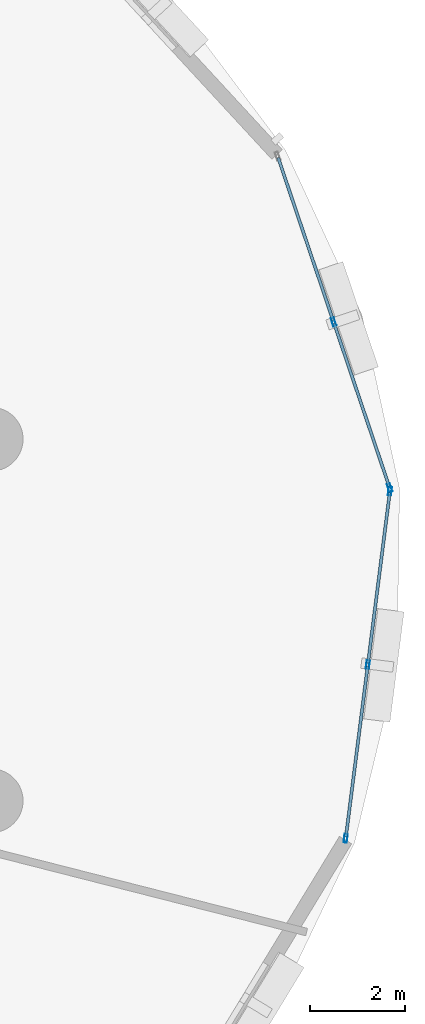
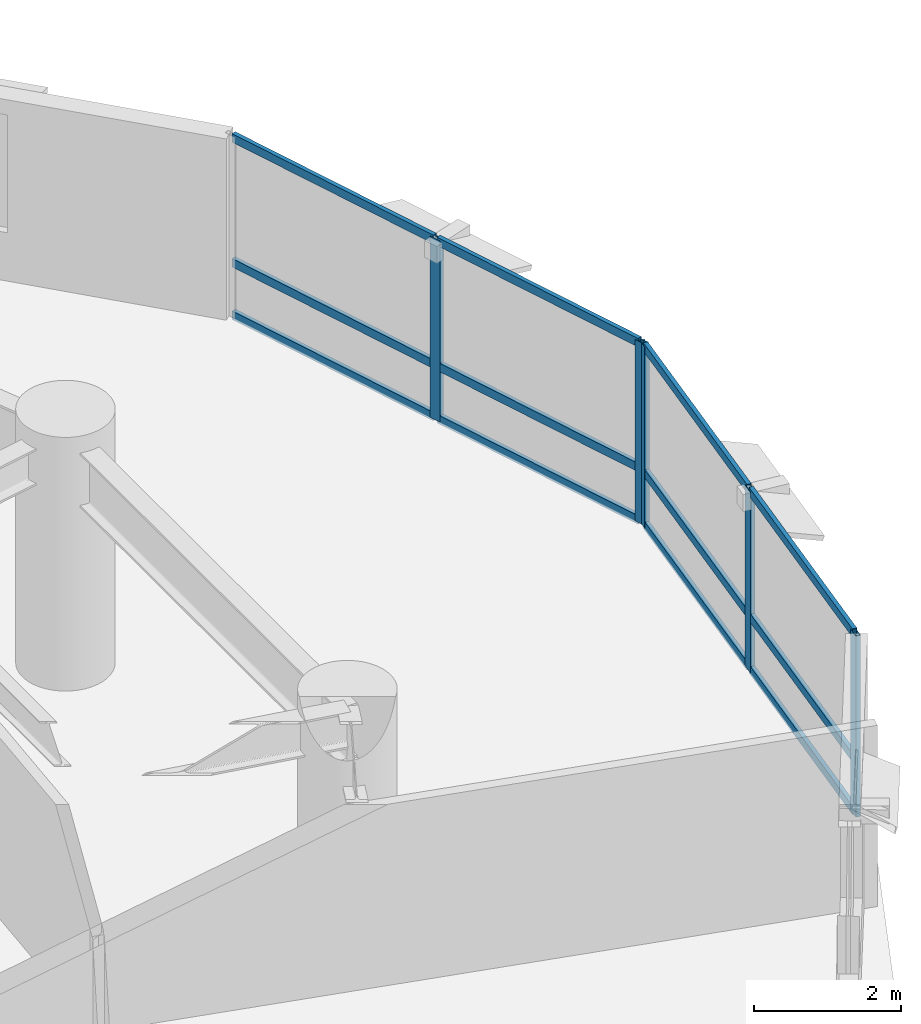
# One storey, part 8 of 17: 17 members, 2 elements without a shape of their own.
"""IFC4 building model written with IfcOpenShell, lengths in metres."""

from ifc_helpers import new_model, si_unit, direction, frame, origin, origin_2d, place, context, subcontext, project, spatial, hollow_rectangle, extrude, material, layer, layer_set, material_profile, profile_set, type_object, element, aggregate, save


model = new_model("IFC4")

# Units and contexts
model_context = context("Model", 3, precision=1e-05, world=origin(), true_north=direction((0.0, 1.0)))
body_context = subcontext(model_context, "Body", "Model", "MODEL_VIEW")
ifc_project = project(units=[si_unit("LENGTHUNIT", "METRE"), si_unit("AREAUNIT", "SQUARE_METRE"), si_unit("VOLUMEUNIT", "CUBIC_METRE"), si_unit("PLANEANGLEUNIT", "RADIAN"), si_unit("MASSUNIT", "GRAM", prefix="KILO"), si_unit("THERMODYNAMICTEMPERATUREUNIT", "KELVIN"), si_unit("POWERUNIT", "WATT")], contexts=[model_context])

# Site, building, storey
site_placement = place(None, origin())
site = spatial("IfcSite", under=ifc_project, at=site_placement, CompositionType="ELEMENT")
building_placement = place(site_placement, origin())
building = spatial("IfcBuilding", under=site, at=building_placement, Name="Ocrelia Relay Tower", CompositionType="ELEMENT")
storey_placement = place(building_placement, frame((0.0, 0.0, 55.199951171875)))
storey = spatial("IfcBuildingStorey", under=building, at=storey_placement, Name="L12", CompositionType="ELEMENT", Elevation=55.199951171875)

# Curtain wall, members
ifc_material_1 = material(Name="Aluminium and solar-control low-E glass", Category="aluminium")
ifc_layer = layer(ifc_material_1, 0.179931640625, Name="Aluminium and solar-control low-E glass")
ifc_layer_set = layer_set([ifc_layer], Name="Aluminium and solar-control low-E glass")
curtain_wall_type = type_object("IfcCurtainWallType", Name="CW-SYS-Z1-DATA", PredefinedType="NOTDEFINED", material=ifc_layer_set)
curtain_wall_1_placement = place(storey_placement, origin())
curtain_wall_1 = element("IfcCurtainWall", 1, at=curtain_wall_1_placement, inside=storey, type_object=curtain_wall_type, Name="L12 Elliptical Tower Curtain Wall Bay 01", PredefinedType="NOTDEFINED")
ifc_material_2 = material(Name="Anodised bronze aluminium", Category="aluminium")
ifc_material_profile_1 = material_profile(ifc_material_2, hollow_rectangle(XDim=0.070068359375, YDim=0.179931640625, WallThickness=0.006103515625, at=origin_2d()), Name="CW-MUL-180x70")
ifc_profile_set_1 = profile_set([ifc_material_profile_1], Name="Anodised bronze aluminium")
member_type_1 = type_object("IfcMemberType", Name="CW-SYS-Z1-DATA-MUL", PredefinedType="MULLION", material=ifc_profile_set_1)
member_1_placement = place(storey_placement, frame((61.6513671875, 28.794189453125, 0.0), z_axis=(0.0, 0.0, 1.0), x_axis=(-0.947433239602, -0.319953522402, 0.0)))
member_1 = element("IfcMember", 2, at=member_1_placement, type_object=member_type_1, Name="CW-Z1 mullion 1", PredefinedType="MULLION", context=body_context, shape_type="SweptSolid", body=[
    extrude(hollow_rectangle(XDim=0.070068359375, YDim=0.179931640625, WallThickness=0.006103515625, at=origin_2d()), origin(), (0.0, 0.0, 1.0), 3.0),
])
member_2_placement = place(storey_placement, frame((60.466552734375, 32.30224609375, 0.0), z_axis=(0.0, 0.0, 1.0), x_axis=(-0.947433239602, -0.319953522402, 0.0)))
member_2 = element("IfcMember", 3, at=member_2_placement, type_object=member_type_1, Name="CW-Z1 mullion 2", PredefinedType="MULLION", context=body_context, shape_type="SweptSolid", body=[
    extrude(hollow_rectangle(XDim=0.070068359375, YDim=0.179931640625, WallThickness=0.006103515625, at=origin_2d()), origin(), (0.0, 0.0, 1.0), 3.0),
])

curtain_wall_2_placement = place(storey_placement, origin())
curtain_wall_2 = element("IfcCurtainWall", 4, at=curtain_wall_2_placement, inside=storey, type_object=curtain_wall_type, Name="L12 Elliptical Tower Curtain Wall Bay 18", PredefinedType="NOTDEFINED")
member_3_placement = place(storey_placement, frame((60.72216796875, 21.38037109375, 0.0), z_axis=(0.0, 0.0, 1.0), x_axis=(-0.991982673525, 0.126373950742, 0.0)))
member_3 = element("IfcMember", 5, at=member_3_placement, type_object=member_type_1, Name="CW-Z1 mullion 1", PredefinedType="MULLION", context=body_context, shape_type="SweptSolid", body=[
    extrude(hollow_rectangle(XDim=0.070068359375, YDim=0.179931640625, WallThickness=0.006103515625, at=origin_2d()), origin(), (0.0, 0.0, 1.0), 3.0),
])
member_4_placement = place(storey_placement, frame((61.190185546875, 25.053466796875, 0.0), z_axis=(0.0, 0.0, 1.0), x_axis=(-0.991982673525, 0.126373950742, 0.0)))
member_4 = element("IfcMember", 6, at=member_4_placement, type_object=member_type_1, Name="CW-Z1 mullion 2", PredefinedType="MULLION", context=body_context, shape_type="SweptSolid", body=[
    extrude(hollow_rectangle(XDim=0.070068359375, YDim=0.179931640625, WallThickness=0.006103515625, at=origin_2d()), origin(), (0.0, 0.0, 1.0), 3.0),
])
member_5_placement = place(storey_placement, frame((61.657958984375, 28.726318359375, 0.0), z_axis=(0.0, 0.0, 1.0), x_axis=(-0.991982673525, 0.126373950742, 0.0)))
member_5 = element("IfcMember", 7, at=member_5_placement, type_object=member_type_1, Name="CW-Z1 mullion 3", PredefinedType="MULLION", context=body_context, shape_type="SweptSolid", body=[
    extrude(hollow_rectangle(XDim=0.070068359375, YDim=0.179931640625, WallThickness=0.006103515625, at=origin_2d()), origin(), (0.0, 0.0, 1.0), 3.0),
])

# Member
ifc_material_profile_2 = material_profile(ifc_material_2, hollow_rectangle(XDim=0.06494140625, YDim=0.139892578125, WallThickness=0.0048828125, at=origin_2d()), Name="CW-TRN-140x65")
ifc_profile_set_2 = profile_set([ifc_material_profile_2], Name="Anodised bronze aluminium")
member_type_2 = type_object("IfcMemberType", Name="CW-SYS-Z1-DATA-TRN", PredefinedType="USERDEFINED", material=ifc_profile_set_2)
member_6_placement = place(storey_placement, frame((61.64013671875, 28.827392578125, 0.032470703125), z_axis=(-0.319955107478, 0.947432704311, 0.0), x_axis=(-0.947432704311, -0.319955107478, 0.0)))
member_6 = element("IfcMember", 8, at=member_6_placement, type_object=member_type_2, Name="CW-Z1 transom 1.1", ObjectType="TRANSOM", PredefinedType="USERDEFINED", context=body_context, shape_type="SweptSolid", body=[
    extrude(hollow_rectangle(XDim=0.06494140625, YDim=0.139892578125, WallThickness=0.0048828125, at=origin_2d()), origin(), (0.0, 0.0, 1.0), 3.6328125),
])

member_7_placement = place(storey_placement, frame((61.64013671875, 28.827392578125, 0.900146484375), z_axis=(-0.319955107478, 0.947432704311, 0.0), x_axis=(-0.947432704311, -0.319955107478, 0.0)))
member_7 = element("IfcMember", 9, at=member_7_placement, type_object=member_type_2, Name="CW-Z1 transom 1.2", ObjectType="TRANSOM", PredefinedType="USERDEFINED", context=body_context, shape_type="SweptSolid", body=[
    extrude(hollow_rectangle(XDim=0.06494140625, YDim=0.139892578125, WallThickness=0.0048828125, at=origin_2d()), origin(), (0.0, 0.0, 1.0), 3.6328125),
])

member_8_placement = place(storey_placement, frame((61.64013671875, 28.827392578125, 2.967529296875), z_axis=(-0.319955107478, 0.947432704311, 0.0), x_axis=(-0.947432704311, -0.319955107478, 0.0)))
member_8 = element("IfcMember", 10, at=member_8_placement, type_object=member_type_2, Name="CW-Z1 transom 1.3", ObjectType="TRANSOM", PredefinedType="USERDEFINED", context=body_context, shape_type="SweptSolid", body=[
    extrude(hollow_rectangle(XDim=0.06494140625, YDim=0.139892578125, WallThickness=0.0048828125, at=origin_2d()), origin(), (0.0, 0.0, 1.0), 3.6328125),
])

member_9_placement = place(storey_placement, frame((60.455322265625, 32.33544921875, 0.032470703125), z_axis=(-0.319894781883, 0.947453074576, 0.0), x_axis=(-0.947453074576, -0.319894781883, 0.0)))
member_9 = element("IfcMember", 11, at=member_9_placement, type_object=member_type_2, Name="CW-Z1 transom 2.1", ObjectType="TRANSOM", PredefinedType="USERDEFINED", context=body_context, shape_type="SweptSolid", body=[
    extrude(hollow_rectangle(XDim=0.06494140625, YDim=0.139892578125, WallThickness=0.0048828125, at=origin_2d()), origin(), (0.0, 0.0, 1.0), 3.6328125),
])

member_10_placement = place(storey_placement, frame((60.455322265625, 32.33544921875, 0.900146484375), z_axis=(-0.319894781883, 0.947453074576, 0.0), x_axis=(-0.947453074576, -0.319894781883, 0.0)))
member_10 = element("IfcMember", 12, at=member_10_placement, type_object=member_type_2, Name="CW-Z1 transom 2.2", ObjectType="TRANSOM", PredefinedType="USERDEFINED", context=body_context, shape_type="SweptSolid", body=[
    extrude(hollow_rectangle(XDim=0.06494140625, YDim=0.139892578125, WallThickness=0.0048828125, at=origin_2d()), origin(), (0.0, 0.0, 1.0), 3.6328125),
])

member_11_placement = place(storey_placement, frame((60.455322265625, 32.33544921875, 2.967529296875), z_axis=(-0.319894781883, 0.947453074576, 0.0), x_axis=(-0.947453074576, -0.319894781883, 0.0)))
member_11 = element("IfcMember", 13, at=member_11_placement, type_object=member_type_2, Name="CW-Z1 transom 2.3", ObjectType="TRANSOM", PredefinedType="USERDEFINED", context=body_context, shape_type="SweptSolid", body=[
    extrude(hollow_rectangle(XDim=0.06494140625, YDim=0.139892578125, WallThickness=0.0048828125, at=origin_2d()), origin(), (0.0, 0.0, 1.0), 3.6328125),
])

aggregate(curtain_wall_1, [member_1, member_2, member_6, member_7, member_8, member_9, member_10, member_11])

member_12_placement = place(storey_placement, frame((60.7265625, 21.4150390625, 0.032470703125), z_axis=(0.126416611406, 0.991977237824, 0.0), x_axis=(-0.991977237824, 0.126416611406, 0.0)))
member_12 = element("IfcMember", 14, at=member_12_placement, type_object=member_type_2, Name="CW-Z1 transom 1.1", ObjectType="TRANSOM", PredefinedType="USERDEFINED", context=body_context, shape_type="SweptSolid", body=[
    extrude(hollow_rectangle(XDim=0.06494140625, YDim=0.139892578125, WallThickness=0.0048828125, at=origin_2d()), origin(), (0.0, 0.0, 1.0), 3.632568359375),
])

member_13_placement = place(storey_placement, frame((60.7265625, 21.4150390625, 0.900146484375), z_axis=(0.126416611406, 0.991977237824, 0.0), x_axis=(-0.991977237824, 0.126416611406, 0.0)))
member_13 = element("IfcMember", 15, at=member_13_placement, type_object=member_type_2, Name="CW-Z1 transom 1.2", ObjectType="TRANSOM", PredefinedType="USERDEFINED", context=body_context, shape_type="SweptSolid", body=[
    extrude(hollow_rectangle(XDim=0.06494140625, YDim=0.139892578125, WallThickness=0.0048828125, at=origin_2d()), origin(), (0.0, 0.0, 1.0), 3.632568359375),
])

member_14_placement = place(storey_placement, frame((60.7265625, 21.4150390625, 2.967529296875), z_axis=(0.126416611406, 0.991977237824, 0.0), x_axis=(-0.991977237824, 0.126416611406, 0.0)))
member_14 = element("IfcMember", 16, at=member_14_placement, type_object=member_type_2, Name="CW-Z1 transom 1.3", ObjectType="TRANSOM", PredefinedType="USERDEFINED", context=body_context, shape_type="SweptSolid", body=[
    extrude(hollow_rectangle(XDim=0.06494140625, YDim=0.139892578125, WallThickness=0.0048828125, at=origin_2d()), origin(), (0.0, 0.0, 1.0), 3.632568359375),
])

member_15_placement = place(storey_placement, frame((61.194580078125, 25.088134765625, 0.032470703125), z_axis=(0.126350477481, 0.991985663626, 0.0), x_axis=(-0.991985663626, 0.126350477481, 0.0)))
member_15 = element("IfcMember", 17, at=member_15_placement, type_object=member_type_2, Name="CW-Z1 transom 2.1", ObjectType="TRANSOM", PredefinedType="USERDEFINED", context=body_context, shape_type="SweptSolid", body=[
    extrude(hollow_rectangle(XDim=0.06494140625, YDim=0.139892578125, WallThickness=0.0048828125, at=origin_2d()), origin(), (0.0, 0.0, 1.0), 3.632568359375),
])

member_16_placement = place(storey_placement, frame((61.194580078125, 25.088134765625, 0.900146484375), z_axis=(0.126350477481, 0.991985663626, 0.0), x_axis=(-0.991985663626, 0.126350477481, 0.0)))
member_16 = element("IfcMember", 18, at=member_16_placement, type_object=member_type_2, Name="CW-Z1 transom 2.2", ObjectType="TRANSOM", PredefinedType="USERDEFINED", context=body_context, shape_type="SweptSolid", body=[
    extrude(hollow_rectangle(XDim=0.06494140625, YDim=0.139892578125, WallThickness=0.0048828125, at=origin_2d()), origin(), (0.0, 0.0, 1.0), 3.632568359375),
])

member_17_placement = place(storey_placement, frame((61.194580078125, 25.088134765625, 2.967529296875), z_axis=(0.126350477481, 0.991985663626, 0.0), x_axis=(-0.991985663626, 0.126350477481, 0.0)))
member_17 = element("IfcMember", 19, at=member_17_placement, type_object=member_type_2, Name="CW-Z1 transom 2.3", ObjectType="TRANSOM", PredefinedType="USERDEFINED", context=body_context, shape_type="SweptSolid", body=[
    extrude(hollow_rectangle(XDim=0.06494140625, YDim=0.139892578125, WallThickness=0.0048828125, at=origin_2d()), origin(), (0.0, 0.0, 1.0), 3.632568359375),
])

aggregate(curtain_wall_2, [member_3, member_4, member_5, member_12, member_13, member_14, member_15, member_16, member_17])

save(model, "model.ifc")
